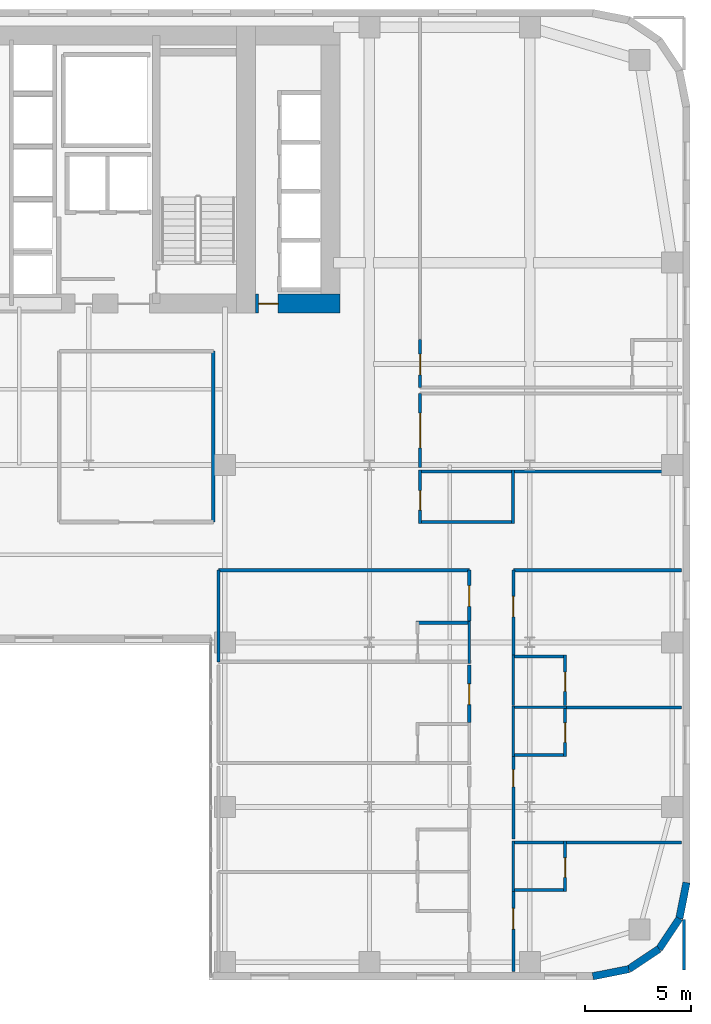
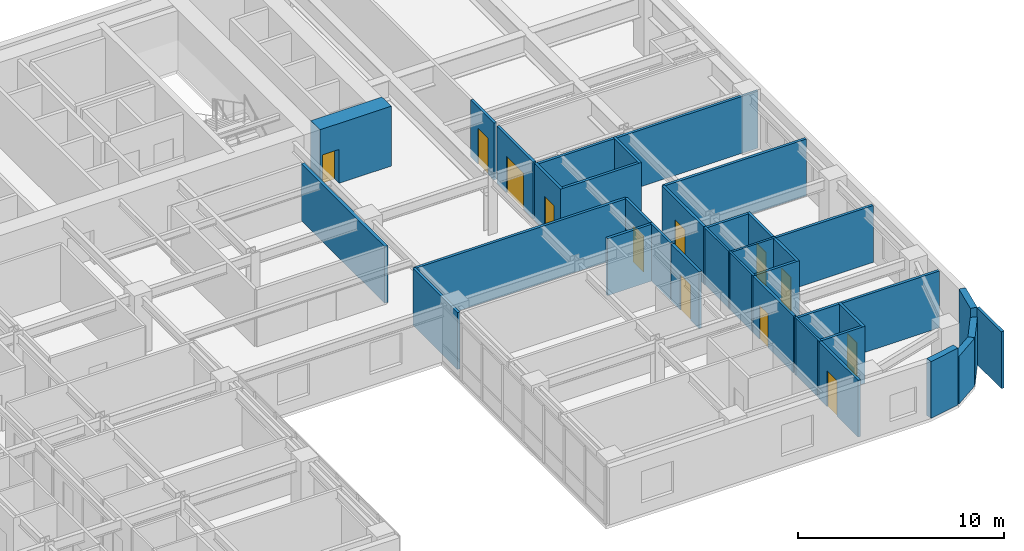
# One storey, part 13 of 17: 36 walls, 12 doors, 12 openings.
"""IFC4 building model written with IfcOpenShell, lengths in metres."""

import ifcopenshell
import ifcopenshell.guid

model = None  # the IFC model being written
_history = None  # IfcOwnerHistory: only IFC2X3 demands one
_inside = {}  # id of a spatial element -> (the spatial element, [elements in it])
_under = {}  # id of a project, library or spatial element -> (it, [spatial elements below it])
_declared = {}  # id of a project -> (the project, [libraries it declares])
_typed = {}  # id of a type object -> (the type object, [elements of that type])
_made_of = {}  # id of a material, layer set ... -> (it, [elements and type objects made of it])


def new_model(schema):
    """Start an empty IFC model of exactly this schema.

    Asked for "IFC4X3", IfcOpenShell would pick the latest addendum, in which some entities
    have other attributes; the version numbers below select the first issue.
    IFC2X3 requires an IfcOwnerHistory on every rooted entity: one is made here for all.
    """
    global model, _history
    if schema == "IFC4X3":
        model = ifcopenshell.file(schema_version=(4, 3, 0, 0))
    else:
        model = ifcopenshell.file(schema=schema)
    _inside.clear()
    _under.clear()
    _declared.clear()
    _typed.clear()
    _made_of.clear()
    _history = None
    if model.schema == "IFC2X3":
        org = make("IfcOrganization", Name="unknown")
        user = make(
            "IfcPersonAndOrganization",
            ThePerson=make("IfcPerson", FamilyName="unknown"),
            TheOrganization=org,
        )
        app = make(
            "IfcApplication",
            ApplicationDeveloper=org,
            Version="unknown",
            ApplicationFullName="unknown",
            ApplicationIdentifier="unknown",
        )
        _history = make(
            "IfcOwnerHistory",
            OwningUser=user,
            OwningApplication=app,
            ChangeAction="ADDED",
            CreationDate=0,
        )
    return model


def make(cls, **values):
    """One entity of the class cls with the attributes given. An attribute that is None is left unset."""
    return model.create_entity(
        cls, **{name: value for name, value in values.items() if value is not None}
    )


def rooted(cls, **values):
    """An entity with a GlobalId (a new one), such as an element, a storey or a relation."""
    return make(cls, GlobalId=ifcopenshell.guid.new(), OwnerHistory=_history, **values)


def si_unit(unit_type, name, prefix=None):
    """IfcSIUnit, for example si_unit("LENGTHUNIT", "METRE", prefix="MILLI")."""
    return make("IfcSIUnit", UnitType=unit_type, Prefix=prefix, Name=name)


def assignment(units):
    """IfcUnitAssignment: the units of a project."""
    return None if units is None else make("IfcUnitAssignment", Units=units)


def point(xyz):
    """IfcCartesianPoint."""
    return None if xyz is None else make("IfcCartesianPoint", Coordinates=xyz)


def direction(xyz):
    """IfcDirection."""
    return None if xyz is None else make("IfcDirection", DirectionRatios=xyz)


def frame(location, z_axis=None, x_axis=None):
    """IfcAxis2Placement3D, a coordinate frame: its origin and axes. An axis left out is left unset."""
    return make(
        "IfcAxis2Placement3D",
        Location=point(location),
        Axis=direction(z_axis),
        RefDirection=direction(x_axis),
    )


def frame_2d(location, x_axis=None):
    """IfcAxis2Placement2D, a coordinate frame in the plane: its origin and x axis."""
    return make(
        "IfcAxis2Placement2D", Location=point(location), RefDirection=direction(x_axis)
    )


def origin():
    """The frame at (0, 0, 0) with its axes left unset."""
    return frame((0.0, 0.0, 0.0))


def place(relative_to, where):
    """IfcLocalPlacement: puts the frame where relative to a parent placement (None: the world)."""
    return make(
        "IfcLocalPlacement", PlacementRelTo=relative_to, RelativePlacement=where
    )


def context(
    kind, dimensions, precision=None, world=None, true_north=None, identifier=None
):
    """IfcGeometricRepresentationContext, for example the 3D "Model" context."""
    return make(
        "IfcGeometricRepresentationContext",
        ContextIdentifier=identifier,
        ContextType=kind,
        CoordinateSpaceDimension=dimensions,
        Precision=precision,
        WorldCoordinateSystem=world,
        TrueNorth=true_north,
    )


def subcontext(parent, identifier, kind, view, scale=None):
    """IfcGeometricRepresentationSubContext, for example "Body" below "Model"."""
    return make(
        "IfcGeometricRepresentationSubContext",
        ContextIdentifier=identifier,
        ContextType=kind,
        ParentContext=parent,
        TargetScale=scale,
        TargetView=view,
    )


def project(units=None, contexts=None):
    """IfcProject with its units and contexts."""
    return rooted(
        "IfcProject",
        Name="project",
        RepresentationContexts=contexts,
        UnitsInContext=assignment(units),
    )


def spatial(cls, under=None, at=None, **own):
    """A site, building, storey or space (cls), placed at a placement, below another one or the project."""
    s = rooted(cls, ObjectPlacement=at, **own)
    if under is not None:
        _under.setdefault(under.id(), (under, []))[1].append(s)
    return s


def profile(cls, at=None, kind="AREA", **sizes):
    """A parametric profile (cls). Its sizes go by their IFC names, for example OverallWidth=200.0."""
    return make(cls, ProfileType=kind, Position=at, **sizes)


def rectangle(**sizes):
    """IfcRectangleProfileDef."""
    return profile("IfcRectangleProfileDef", **sizes)


def extrude(swept, where, along, depth):
    """IfcExtrudedAreaSolid: the profile swept, set in the frame where, extruded along a direction by depth."""
    return make(
        "IfcExtrudedAreaSolid",
        SweptArea=swept,
        Position=where,
        ExtrudedDirection=direction(along),
        Depth=depth,
    )


def shape(context_of_items, identifier, shape_type, items):
    """IfcShapeRepresentation: the items that make up one representation, for example the "Body"."""
    return make(
        "IfcShapeRepresentation",
        ContextOfItems=context_of_items,
        RepresentationIdentifier=identifier,
        RepresentationType=shape_type,
        Items=items,
    )


def source(mapping_origin, context_of_items, identifier, shape_type, items):
    """IfcRepresentationMap: a shape defined once, which mapped items show again and again."""
    return make(
        "IfcRepresentationMap",
        MappingOrigin=mapping_origin,
        MappedRepresentation=shape(context_of_items, identifier, shape_type, items),
    )


def transform(
    local_origin,
    x_axis=None,
    y_axis=None,
    z_axis=None,
    scale=None,
    scale2=None,
    scale3=None,
    uniform=True,
):
    """IfcCartesianTransformationOperator3D, or its non-uniform kind. x_axis, y_axis, z_axis: its Axis1, 2, 3."""
    if uniform:
        return make(
            "IfcCartesianTransformationOperator3D",
            Axis1=direction(x_axis),
            Axis2=direction(y_axis),
            LocalOrigin=point(local_origin),
            Scale=scale,
            Axis3=direction(z_axis),
        )
    return make(
        "IfcCartesianTransformationOperator3DnonUniform",
        Axis1=direction(x_axis),
        Axis2=direction(y_axis),
        LocalOrigin=point(local_origin),
        Scale=scale,
        Axis3=direction(z_axis),
        Scale2=scale2,
        Scale3=scale3,
    )


def mapped(mapping_source, mapping_target):
    """IfcMappedItem: shows the shape of a source again, moved by a transform."""
    return make(
        "IfcMappedItem", MappingSource=mapping_source, MappingTarget=mapping_target
    )


def material(Name=None, Category=None):
    """IfcMaterial."""
    return make("IfcMaterial", Name=Name, Category=Category)


def layer(
    of_material, thickness, ventilated=None, Name=None, Category=None, Priority=None
):
    """IfcMaterialLayer: one layer of a wall or slab, of a material (None: an air gap)."""
    return make(
        "IfcMaterialLayer",
        Material=of_material,
        LayerThickness=thickness,
        IsVentilated=ventilated,
        Name=Name,
        Category=Category,
        Priority=Priority,
    )


def layer_set(layers, Name=None):
    """IfcMaterialLayerSet."""
    return make("IfcMaterialLayerSet", MaterialLayers=layers, LayerSetName=Name)


def made_of(thing, what):
    """Note that an element or type object is made of a material, layer set ...; save() writes the relation."""
    if what is not None:
        _made_of.setdefault(what.id(), (what, []))[1].append(thing)
    return thing


def type_object(cls, material=None, **own):
    """A type object (cls), such as IfcWallType, which elements share."""
    return made_of(rooted(cls, **own), material)


def type_shapes(of_type, sources):
    """Give a type object the sources (RepresentationMaps) that its elements show as mapped items."""
    of_type.RepresentationMaps = sources


def element(
    cls,
    number,
    at=None,
    inside=None,
    cuts=None,
    type_object=None,
    material=None,
    context=None,
    identifier="Body",
    shape_type=None,
    held_by="IfcProductDefinitionShape",
    body=None,
    shapes=None,
    **own,
):
    """One element of the class cls, such as IfcWall. Its Tag is "e" and its number.

    at: its placement. inside: the storey or other place that contains it. cuts: it is an
    opening in that element (IfcRelVoidsElement). A single representation is given by context,
    identifier, shape_type and body (its items); several are given by shapes. held_by: the class
    of the entity that holds the representations. save() writes the other relations.
    """
    e = rooted(cls, Tag="e%d" % number, ObjectPlacement=at, **own)
    if body is not None:
        shapes = [shape(context, identifier, shape_type, body)]
    if shapes is not None:
        e.Representation = make(held_by, Representations=shapes)
    if inside is not None:
        _inside.setdefault(inside.id(), (inside, []))[1].append(e)
    if cuts is not None:
        rooted(
            "IfcRelVoidsElement", RelatingBuildingElement=cuts, RelatedOpeningElement=e
        )
    if type_object is not None:
        _typed.setdefault(type_object.id(), (type_object, []))[1].append(e)
    return made_of(e, material)


def fill(opening, filler):
    """IfcRelFillsElement: the door or window that sits in an opening."""
    return rooted(
        "IfcRelFillsElement",
        RelatingOpeningElement=opening,
        RelatedBuildingElement=filler,
    )


def aggregate(whole, parts):
    """IfcRelAggregates: a whole, such as a stair, and the parts it consists of."""
    return rooted("IfcRelAggregates", RelatingObject=whole, RelatedObjects=parts)


def save(model, path):
    """Write the relations noted so far, then the file.

    IfcRelAggregates (storeys below a building ...), IfcRelContainedInSpatialStructure (elements
    in a storey), IfcRelDefinesByType, IfcRelAssociatesMaterial and IfcRelDeclares: one each for
    every whole, place, type object, material and project.
    """
    for whole, parts in _under.values():
        aggregate(whole, parts)
    for where, things in _inside.values():
        rooted(
            "IfcRelContainedInSpatialStructure",
            RelatedElements=things,
            RelatingStructure=where,
        )
    for kind, things in _typed.values():
        rooted("IfcRelDefinesByType", RelatedObjects=things, RelatingType=kind)
    for what, things in _made_of.values():
        rooted("IfcRelAssociatesMaterial", RelatedObjects=things, RelatingMaterial=what)
    for by, libraries in _declared.values():
        rooted("IfcRelDeclares", RelatingContext=by, RelatedDefinitions=libraries)
    model.write(path)


model = new_model("IFC4")

# Units and contexts
model_context = context("Model", 3, precision=1e-05, world=origin(), true_north=direction((0.0, 1.0)))
body_context = subcontext(model_context, "Body", "Model", "MODEL_VIEW")
ifc_project = project(units=[si_unit("LENGTHUNIT", "METRE"), si_unit("AREAUNIT", "SQUARE_METRE"), si_unit("VOLUMEUNIT", "CUBIC_METRE"), si_unit("PLANEANGLEUNIT", "RADIAN"), si_unit("MASSUNIT", "GRAM", prefix="KILO")], contexts=[model_context])

# Site, building, storey
site_placement = place(None, origin())
site = spatial("IfcSite", under=ifc_project, at=site_placement, CompositionType="ELEMENT")
building_placement = place(site_placement, origin())
building = spatial("IfcBuilding", under=site, at=building_placement, Name="Tolvann Quenvar Hotel", CompositionType="ELEMENT")
storey_placement = place(building_placement, frame((0.0, 0.0, 49.75)))
storey = spatial("IfcBuildingStorey", under=building, at=storey_placement, Name="L11", CompositionType="ELEMENT", Elevation=49.75)

# Wall, opening, door
ifc_material_1 = material(Name="Concrete S80 (80 MPa)", Category="concrete")
ifc_layer_1 = layer(ifc_material_1, 0.89990234375)
ifc_layer_set_1 = layer_set([ifc_layer_1], Name="Concrete S80 (80 MPa)")
wall_type_1 = type_object("IfcWallType", Name="WALL_CORE_900", PredefinedType="SHEAR", material=ifc_layer_set_1)
wall_1_placement = place(storey_placement, frame((36.39990234375, 32.050048828125, 0.0), z_axis=(0.0, 0.0, 1.0), x_axis=(1.0, 0.0, 0.0)))
wall_1 = element("IfcWall", 1, at=wall_1_placement, inside=storey, type_object=wall_type_1, Name="Core East Annex Shear Wall ANN-S (L11)", PredefinedType="SHEAR", context=body_context, shape_type="SweptSolid", body=[
    extrude(rectangle(XDim=4.0, YDim=0.89990234375, at=frame_2d((2.0, 0.0))), origin(), (0.0, 0.0, 1.0), 3.550048828125),
])
opening_1_placement = place(wall_1_placement, frame((1.06982421875, 0.0, 0.0), z_axis=(0.0, 0.0, 1.0), x_axis=(-1.0, 0.0, 0.0)))
opening_1 = element("IfcOpeningElement", 2, at=opening_1_placement, cuts=wall_1, Name="Opening WD-01", PredefinedType="OPENING", context=body_context, shape_type="SweptSolid", body=[
    extrude(rectangle(XDim=0.919921875, YDim=2.010009765625, at=frame_2d((0.4599609375, 1.0048828125))), frame((0.0, 0.4599609375, 0.0), z_axis=(0.0, -1.0, 0.0), x_axis=(1.0, 0.0, 0.0)), (0.0, 0.0, 1.0), 0.919921875),
])
ifc_material_2 = material(Name="Solid-core American oak acoustic fire door leaf in steel frame", Category="steel")
door_type_1 = type_object("IfcDoorType", Name="DOOR_WC_920", OperationType="NOTDEFINED", PredefinedType="DOOR", material=ifc_material_2)
shared_shape_1 = source(origin(), body_context, "Body", "SweptSolid", [
    extrude(rectangle(XDim=0.919921875, YDim=2.010009765625, at=frame_2d((0.4599609375, 1.0048828125))), frame((0.0, 0.02490234375, 0.0), z_axis=(0.0, -1.0, 0.0), x_axis=(1.0, 0.0, 0.0)), (0.0, 0.0, 1.0), 0.050048828125),
])
type_shapes(door_type_1, [shared_shape_1])
door_1_placement = place(opening_1_placement, origin())
door_1 = element("IfcDoor", 3, at=door_1_placement, inside=storey, type_object=door_type_1, Name="Low-Rise Lift Lobby Fire Door (L11)", OperationType="SINGLE_SWING_RIGHT", OverallHeight=2.010009765625, OverallWidth=0.919921875, PredefinedType="DOOR", context=body_context, shape_type="MappedRepresentation", body=[
    mapped(shared_shape_1, transform((0.0, 0.0, 0.0), x_axis=(1.0, 0.0, 0.0), y_axis=(0.0, 1.0, 0.0), z_axis=(0.0, 0.0, 1.0), scale=1.0)),
])
fill(opening_1, door_1)

# Walls
ifc_material_3 = material(Name="Kiln-fired red and buff architectural clay brickwork and terracotta masonry", Category="masonry")
ifc_layer_2 = layer(ifc_material_3, 0.35009765625)
ifc_layer_set_2 = layer_set([ifc_layer_2], Name="Kiln-fired red and buff architectural clay brickwork and terracotta masonry")
wall_type_2 = type_object("IfcWallType", Name="WALL_EXT_BRICK_350", PredefinedType="SOLIDWALL", material=ifc_layer_set_2)
wall_2_placement = place(storey_placement, frame((52.3828125, 0.175048828125, 0.0), z_axis=(0.0, 0.0, 1.0), x_axis=(0.980800971659, 0.195011420161, 0.0)))
element("IfcWall", 4, at=wall_2_placement, inside=storey, type_object=wall_type_2, Name="Exterior Chicago Brick Wall L11-E09", PredefinedType="SOLIDWALL", context=body_context, shape_type="SweptSolid", body=[
    extrude(rectangle(XDim=1.74267578125, YDim=0.35009765625, at=frame_2d((0.871337890625, 0.0))), origin(), (0.0, 0.0, 1.0), 3.3701171875),
])
for number, where, z_axis, x_axis, name in (
    (5, (54.092041015625, 0.514892578125, 0.0), (0.0, 0.0, 1.0), (0.831483840845, 0.55554893791, 0.0), "Exterior Chicago Brick Wall L11-E10"),
    (6, (55.526611328125, 1.473388671875, 0.0), (0.0, 0.0, 1.0), (0.55554893791, 0.831483840845, 0.0), "Exterior Chicago Brick Wall L11-E11"),
):
    element("IfcWall", number, at=place(storey_placement, frame(where, z_axis=z_axis, x_axis=x_axis)), inside=storey, type_object=wall_type_2, Name=name, PredefinedType="SOLIDWALL", context=body_context, shape_type="SweptSolid", body=[
        extrude(rectangle(XDim=1.725341796875, YDim=0.35009765625, at=frame_2d((0.86279296875, 0.0))), origin(), (0.0, 0.0, 1.0), 2.83203125),
    ])
wall_3_placement = place(storey_placement, frame((56.485107421875, 2.907958984375, 0.0), z_axis=(0.0, 0.0, 1.0), x_axis=(0.195011420161, 0.980800971659, 0.0)))
element("IfcWall", 7, at=wall_3_placement, inside=storey, type_object=wall_type_2, Name="Exterior Chicago Brick Wall L11-E12", PredefinedType="SOLIDWALL", context=body_context, shape_type="SweptSolid", body=[
    extrude(rectangle(XDim=1.74267578125, YDim=0.35009765625, at=frame_2d((0.871337890625, 0.0))), origin(), (0.0, 0.0, 1.0), 3.3701171875),
])
ifc_material_4 = material(Name="Acoustic twin-stud fire-rated gypsum plasterboard partition")
ifc_layer_3 = layer(ifc_material_4, 0.179931640625)
ifc_layer_set_3 = layer_set([ifc_layer_3], Name="Acoustic twin-stud fire-rated gypsum plasterboard partition")
wall_type_3 = type_object("IfcWallType", Name="WALL_PART_ACOUSTIC_180", PredefinedType="PARTITIONING", material=ifc_layer_set_3)
wall_4_placement = place(storey_placement, frame((34.39990234375, 21.699951171875, 0.0), z_axis=(0.0, 0.0, 1.0), x_axis=(0.0, 1.0, 0.0)))
element("IfcWall", 8, at=wall_4_placement, inside=storey, type_object=wall_type_3, Name="Interior Partition PT-SPC-L11-MSP-C-E", PredefinedType="PARTITIONING", context=body_context, shape_type="SweptSolid", body=[
    extrude(rectangle(XDim=8.10009765625, YDim=0.179931640625, at=frame_2d((4.050048828125, 0.0))), origin(), (0.0, 0.0, 1.0), 3.3701171875),
])
ifc_material_5 = material(Name="Moisture-resistant acoustic plumbing wall assembly")
ifc_layer_4 = layer(ifc_material_5, 0.1201171875)
ifc_layer_set_4 = layer_set([ifc_layer_4], Name="Moisture-resistant acoustic plumbing wall assembly")
wall_type_4 = type_object("IfcWallType", Name="WALL_PART_BATH_120", PredefinedType="PLUMBINGWALL", material=ifc_layer_set_4)
wall_5_placement = place(storey_placement, frame((46.530029296875, 15.010009765625, 0.0), z_axis=(0.0, 0.0, 1.0), x_axis=(0.0, 1.0, 0.0)))
element("IfcWall", 9, at=wall_5_placement, inside=storey, type_object=wall_type_4, Name="Non-Rated Plumbing Partition PT-SPC-L11-ENS-EI04-E", PredefinedType="PLUMBINGWALL", context=body_context, shape_type="SweptSolid", body=[
    extrude(rectangle(XDim=1.989990234375, YDim=0.1201171875, at=frame_2d((0.9951171875, 0.0))), origin(), (0.0, 0.0, 1.0), 3.3701171875),
])
wall_6_placement = place(storey_placement, frame((48.6201171875, 4.199951171875, 0.0), z_axis=(0.0, 0.0, 1.0), x_axis=(0.0, 1.0, 0.0)))
element("IfcWall", 10, at=wall_6_placement, inside=storey, type_object=wall_type_4, Name="Non-Rated Plumbing Partition PT-SPC-L11-ENS-EO01-W", PredefinedType="PLUMBINGWALL", context=body_context, shape_type="SweptSolid", body=[
    extrude(rectangle(XDim=2.39013671875, YDim=0.1201171875, at=frame_2d((1.195068359375, 0.0))), origin(), (0.0, 0.0, 1.0), 3.3701171875),
])
wall_7_placement = place(storey_placement, frame((48.550048828125, 12.919921875, 0.0), z_axis=(0.0, 0.0, 1.0), x_axis=(1.0, 0.0, 0.0)))
element("IfcWall", 11, at=wall_7_placement, inside=storey, type_object=wall_type_4, Name="Non-Rated Plumbing Partition PT-SPC-L11-ENS-EO02-N", PredefinedType="PLUMBINGWALL", context=body_context, shape_type="SweptSolid", body=[
    extrude(rectangle(XDim=2.58984375, YDim=0.1201171875, at=frame_2d((1.294921875, 0.0))), origin(), (0.0, 0.0, 1.0), 3.3701171875),
])
for number, where, z_axis, x_axis, name in (
    (12, (48.6201171875, 10.60009765625, 0.0), (0.0, 0.0, 1.0), (0.0, 1.0, 0.0), "Non-Rated Plumbing Partition PT-SPC-L11-ENS-EO02-W"),
    (13, (48.6201171875, 13.010009765625, 0.0), (0.0, 0.0, 1.0), (0.0, 1.0, 0.0), "Non-Rated Plumbing Partition PT-SPC-L11-ENS-EO03-W"),
):
    element("IfcWall", number, at=place(storey_placement, frame(where, z_axis=z_axis, x_axis=x_axis)), inside=storey, type_object=wall_type_4, Name=name, PredefinedType="PLUMBINGWALL", context=body_context, shape_type="SweptSolid", body=[
        extrude(rectangle(XDim=2.389892578125, YDim=0.1201171875, at=frame_2d((1.19482421875, 0.0))), origin(), (0.0, 0.0, 1.0), 3.3701171875),
    ])
ifc_layer_5 = layer(ifc_material_4, 0.14990234375)
ifc_layer_set_5 = layer_set([ifc_layer_5], Name="Acoustic twin-stud fire-rated gypsum plasterboard partition")
wall_type_5 = type_object("IfcWallType", Name="WALL_PART_SUITE_150", PredefinedType="PARTITIONING", material=ifc_layer_set_5)
wall_8_placement = place(storey_placement, frame((44.010009765625, 16.929931640625, 0.0), z_axis=(0.0, 0.0, 1.0), x_axis=(1.0, 0.0, 0.0)))
element("IfcWall", 14, at=wall_8_placement, inside=storey, type_object=wall_type_5, Name="Interior Partition PT-SPC-L11-ENS-EI04-N", PredefinedType="PARTITIONING", context=body_context, shape_type="SweptSolid", body=[
    extrude(rectangle(XDim=2.590087890625, YDim=0.14990234375, at=frame_2d((1.294921875, 0.0))), origin(), (0.0, 0.0, 1.0), 3.3701171875),
])

# Wall, opening, door
wall_9_placement = place(storey_placement, frame((51.070068359375, 4.199951171875, 0.0), z_axis=(0.0, 0.0, 1.0), x_axis=(0.0, 1.0, 0.0)))
wall_9 = element("IfcWall", 15, at=wall_9_placement, inside=storey, type_object=wall_type_5, Name="Interior Partition PT-SPC-L11-ENS-EO01-ENT", PredefinedType="PARTITIONING", context=body_context, shape_type="SweptSolid", body=[
    extrude(rectangle(XDim=2.39013671875, YDim=0.14990234375, at=frame_2d((1.195068359375, 0.0))), origin(), (0.0, 0.0, 1.0), 3.3701171875),
])
opening_2_placement = place(wall_9_placement, frame((0.6650390625, 0.0, 0.0)))
opening_2 = element("IfcOpeningElement", 16, at=opening_2_placement, cuts=wall_9, Name="Opening WD-01", PredefinedType="OPENING", context=body_context, shape_type="SweptSolid", body=[
    extrude(rectangle(XDim=0.919921875, YDim=2.010009765625, at=frame_2d((0.4599609375, 1.0048828125))), frame((0.0, 0.0849609375, 0.0), z_axis=(0.0, -1.0, 0.0), x_axis=(1.0, 0.0, 0.0)), (0.0, 0.0, 1.0), 0.169921875),
])
door_2_placement = place(opening_2_placement, origin())
door_2 = element("IfcDoor", 17, at=door_2_placement, inside=storey, type_object=door_type_1, Name="Interior Door DOOR-SPC-L11-ENS-EO01", OperationType="SINGLE_SWING_LEFT", OverallHeight=2.010009765625, OverallWidth=0.919921875, PredefinedType="DOOR", context=body_context, shape_type="MappedRepresentation", body=[
    mapped(shared_shape_1, transform((0.0, 0.0, 0.0), x_axis=(1.0, 0.0, 0.0), y_axis=(0.0, 1.0, 0.0), z_axis=(0.0, 0.0, 1.0), scale=1.0)),
])
fill(opening_2, door_2)

# Walls
for number, where, z_axis, x_axis, name in (
    (18, (48.550048828125, 4.27001953125, 0.0), (0.0, 0.0, 1.0), (1.0, 0.0, 0.0), "Interior Partition PT-SPC-L11-ENS-EO01-S"),
    (19, (48.550048828125, 6.52001953125, 0.0), (0.0, 0.0, 1.0), (1.0, 0.0, 0.0), "Interior Partition PT-SPC-L11-ENS-EO01-N"),
):
    element("IfcWall", number, at=place(storey_placement, frame(where, z_axis=z_axis, x_axis=x_axis)), inside=storey, type_object=wall_type_5, Name=name, PredefinedType="PARTITIONING", context=body_context, shape_type="SweptSolid", body=[
        extrude(rectangle(XDim=2.58984375, YDim=0.14990234375, at=frame_2d((1.294921875, 0.0))), origin(), (0.0, 0.0, 1.0), 3.3701171875),
    ])

# Wall, opening, door
wall_10_placement = place(storey_placement, frame((51.070068359375, 10.60009765625, 0.0), z_axis=(0.0, 0.0, 1.0), x_axis=(0.0, 1.0, 0.0)))
wall_10 = element("IfcWall", 20, at=wall_10_placement, inside=storey, type_object=wall_type_5, Name="Interior Partition PT-SPC-L11-ENS-EO02-ENT", PredefinedType="PARTITIONING", context=body_context, shape_type="SweptSolid", body=[
    extrude(rectangle(XDim=2.389892578125, YDim=0.14990234375, at=frame_2d((1.19482421875, 0.0))), origin(), (0.0, 0.0, 1.0), 3.3701171875),
])
opening_3_placement = place(wall_10_placement, frame((0.6650390625, 0.0, 0.0)))
opening_3 = element("IfcOpeningElement", 21, at=opening_3_placement, cuts=wall_10, Name="Opening WD-01", PredefinedType="OPENING", context=body_context, shape_type="SweptSolid", body=[
    extrude(rectangle(XDim=0.919921875, YDim=2.010009765625, at=frame_2d((0.4599609375, 1.0048828125))), frame((0.0, 0.0849609375, 0.0), z_axis=(0.0, -1.0, 0.0), x_axis=(1.0, 0.0, 0.0)), (0.0, 0.0, 1.0), 0.169921875),
])
door_3_placement = place(opening_3_placement, origin())
door_3 = element("IfcDoor", 22, at=door_3_placement, inside=storey, type_object=door_type_1, Name="Interior Door DOOR-SPC-L11-ENS-EO02", OperationType="SINGLE_SWING_RIGHT", OverallHeight=2.010009765625, OverallWidth=0.919921875, PredefinedType="DOOR", context=body_context, shape_type="MappedRepresentation", body=[
    mapped(shared_shape_1, transform((0.0, 0.0, 0.0), x_axis=(1.0, 0.0, 0.0), y_axis=(0.0, 1.0, 0.0), z_axis=(0.0, 0.0, 1.0), scale=1.0)),
])
fill(opening_3, door_3)

# Wall
wall_11_placement = place(storey_placement, frame((48.550048828125, 10.669921875, 0.0), z_axis=(0.0, 0.0, 1.0), x_axis=(1.0, 0.0, 0.0)))
element("IfcWall", 23, at=wall_11_placement, inside=storey, type_object=wall_type_5, Name="Interior Partition PT-SPC-L11-ENS-EO02-S", PredefinedType="PARTITIONING", context=body_context, shape_type="SweptSolid", body=[
    extrude(rectangle(XDim=2.58984375, YDim=0.14990234375, at=frame_2d((1.294921875, 0.0))), origin(), (0.0, 0.0, 1.0), 3.3701171875),
])

# Wall, opening, door
wall_12_placement = place(storey_placement, frame((51.070068359375, 13.010009765625, 0.0), z_axis=(0.0, 0.0, 1.0), x_axis=(0.0, 1.0, 0.0)))
wall_12 = element("IfcWall", 24, at=wall_12_placement, inside=storey, type_object=wall_type_5, Name="Interior Partition PT-SPC-L11-ENS-EO03-ENT", PredefinedType="PARTITIONING", context=body_context, shape_type="SweptSolid", body=[
    extrude(rectangle(XDim=2.389892578125, YDim=0.14990234375, at=frame_2d((1.19482421875, 0.0))), origin(), (0.0, 0.0, 1.0), 3.3701171875),
])
opening_4_placement = place(wall_12_placement, frame((0.6650390625, 0.0, 0.0)))
opening_4 = element("IfcOpeningElement", 25, at=opening_4_placement, cuts=wall_12, Name="Opening WD-01", PredefinedType="OPENING", context=body_context, shape_type="SweptSolid", body=[
    extrude(rectangle(XDim=0.919921875, YDim=2.010009765625, at=frame_2d((0.4599609375, 1.0048828125))), frame((0.0, 0.0849609375, 0.0), z_axis=(0.0, -1.0, 0.0), x_axis=(1.0, 0.0, 0.0)), (0.0, 0.0, 1.0), 0.169921875),
])
door_4_placement = place(opening_4_placement, origin())
door_4 = element("IfcDoor", 26, at=door_4_placement, inside=storey, type_object=door_type_1, Name="Interior Door DOOR-SPC-L11-ENS-EO03", OperationType="SINGLE_SWING_LEFT", OverallHeight=2.010009765625, OverallWidth=0.919921875, PredefinedType="DOOR", context=body_context, shape_type="MappedRepresentation", body=[
    mapped(shared_shape_1, transform((0.0, 0.0, 0.0), x_axis=(1.0, 0.0, 0.0), y_axis=(0.0, 1.0, 0.0), z_axis=(0.0, 0.0, 1.0), scale=1.0)),
])
fill(opening_4, door_4)

# Wall
wall_13_placement = place(storey_placement, frame((48.550048828125, 15.330078125, 0.0), z_axis=(0.0, 0.0, 1.0), x_axis=(1.0, 0.0, 0.0)))
element("IfcWall", 27, at=wall_13_placement, inside=storey, type_object=wall_type_5, Name="Interior Partition PT-SPC-L11-ENS-EO03-N", PredefinedType="PARTITIONING", context=body_context, shape_type="SweptSolid", body=[
    extrude(rectangle(XDim=2.58984375, YDim=0.14990234375, at=frame_2d((1.294921875, 0.0))), origin(), (0.0, 0.0, 1.0), 3.3701171875),
])

# Wall, opening, door
wall_14_placement = place(storey_placement, frame((46.530029296875, 12.2099609375, 0.0), z_axis=(0.0, 0.0, 1.0), x_axis=(0.0, 1.0, 0.0)))
wall_14 = element("IfcWall", 28, at=wall_14_placement, inside=storey, type_object=wall_type_5, Name="Interior Partition PT-SPC-L11-RM-EI03-ENT", PredefinedType="PARTITIONING", context=body_context, shape_type="SweptSolid", body=[
    extrude(rectangle(XDim=2.7099609375, YDim=0.14990234375, at=frame_2d((1.35498046875, 0.0))), origin(), (0.0, 0.0, 1.0), 3.3701171875),
])
opening_5_placement = place(wall_14_placement, frame((0.844970703125, 0.0, 0.0)))
opening_5 = element("IfcOpeningElement", 29, at=opening_5_placement, cuts=wall_14, Name="Opening SD-01", PredefinedType="OPENING", context=body_context, shape_type="SweptSolid", body=[
    extrude(rectangle(XDim=0.97998046875, YDim=2.1201171875, at=frame_2d((0.489990234375, 1.06005859375))), frame((0.0, 0.0849609375, 0.0), z_axis=(0.0, -1.0, 0.0), x_axis=(1.0, 0.0, 0.0)), (0.0, 0.0, 1.0), 0.169921875),
])
door_type_2 = type_object("IfcDoorType", Name="DOOR_SUITE_980", OperationType="NOTDEFINED", PredefinedType="DOOR", material=ifc_material_2)
shared_shape_2 = source(origin(), body_context, "Body", "SweptSolid", [
    extrude(rectangle(XDim=0.97998046875, YDim=2.1201171875, at=frame_2d((0.489990234375, 1.06005859375))), frame((0.0, 0.02490234375, 0.0), z_axis=(0.0, -1.0, 0.0), x_axis=(1.0, 0.0, 0.0)), (0.0, 0.0, 1.0), 0.050048828125),
])
type_shapes(door_type_2, [shared_shape_2])
door_5_placement = place(opening_5_placement, origin())
door_5 = element("IfcDoor", 30, at=door_5_placement, inside=storey, type_object=door_type_2, Name="Interior Door DOOR-SPC-L11-RM-EI03", OperationType="SINGLE_SWING_RIGHT", OverallHeight=2.1201171875, OverallWidth=0.97998046875, PredefinedType="DOOR", context=body_context, shape_type="MappedRepresentation", body=[
    mapped(shared_shape_2, transform((0.0, 0.0, 0.0), x_axis=(1.0, 0.0, 0.0), y_axis=(0.0, 1.0, 0.0), z_axis=(0.0, 0.0, 1.0), scale=1.0)),
])
fill(opening_5, door_5)

wall_15_placement = place(storey_placement, frame((46.530029296875, 17.010009765625, 0.0), z_axis=(0.0, 0.0, 1.0), x_axis=(0.0, 1.0, 0.0)))
wall_15 = element("IfcWall", 31, at=wall_15_placement, inside=storey, type_object=wall_type_5, Name="Interior Partition PT-SPC-L11-RM-EI04-ENT", PredefinedType="PARTITIONING", context=body_context, shape_type="SweptSolid", body=[
    extrude(rectangle(XDim=2.409912109375, YDim=0.14990234375, at=frame_2d((1.205078125, 0.0))), origin(), (0.0, 0.0, 1.0), 3.3701171875),
])
opening_6_placement = place(wall_15_placement, frame((0.695068359375, 0.0, 0.0)))
opening_6 = element("IfcOpeningElement", 32, at=opening_6_placement, cuts=wall_15, Name="Opening SD-01", PredefinedType="OPENING", context=body_context, shape_type="SweptSolid", body=[
    extrude(rectangle(XDim=0.97998046875, YDim=2.1201171875, at=frame_2d((0.489990234375, 1.06005859375))), frame((0.0, 0.0849609375, 0.0), z_axis=(0.0, -1.0, 0.0), x_axis=(1.0, 0.0, 0.0)), (0.0, 0.0, 1.0), 0.169921875),
])
door_6_placement = place(opening_6_placement, origin())
door_6 = element("IfcDoor", 33, at=door_6_placement, inside=storey, type_object=door_type_2, Name="Interior Door DOOR-SPC-L11-RM-EI04", OperationType="SINGLE_SWING_LEFT", OverallHeight=2.1201171875, OverallWidth=0.97998046875, PredefinedType="DOOR", context=body_context, shape_type="MappedRepresentation", body=[
    mapped(shared_shape_2, transform((0.0, 0.0, 0.0), x_axis=(1.0, 0.0, 0.0), y_axis=(0.0, 1.0, 0.0), z_axis=(0.0, 0.0, 1.0), scale=1.0)),
])
fill(opening_6, door_6)

# Walls
wall_16_placement = place(storey_placement, frame((34.64990234375, 19.419921875, 0.0), z_axis=(0.0, 0.0, 1.0), x_axis=(1.0, 0.0, 0.0)))
element("IfcWall", 34, at=wall_16_placement, inside=storey, type_object=wall_type_5, Name="Interior Partition PT-SPC-L11-RM-EI04-E5", PredefinedType="PARTITIONING", context=body_context, shape_type="SweptSolid", body=[
    extrude(rectangle(XDim=11.880126953125, YDim=0.14990234375, at=frame_2d((5.93994140625, 0.0))), origin(), (0.0, 0.0, 1.0), 3.3701171875),
])
wall_17_placement = place(storey_placement, frame((34.64990234375, 15.080078125, 0.0), z_axis=(0.0, 0.0, 1.0), x_axis=(0.0, 1.0, 0.0)))
element("IfcWall", 35, at=wall_17_placement, inside=storey, type_object=wall_type_5, Name="Interior Partition PT-SPC-L11-RM-EI04-E6", PredefinedType="PARTITIONING", context=body_context, shape_type="SweptSolid", body=[
    extrude(rectangle(XDim=4.33984375, YDim=0.14990234375, at=frame_2d((2.169921875, 0.0))), origin(), (0.0, 0.0, 1.0), 3.3701171875),
])

# Wall, opening, door
wall_18_placement = place(storey_placement, frame((48.6201171875, 0.405029296875, 0.0), z_axis=(0.0, 0.0, 1.0), x_axis=(0.0, 1.0, 0.0)))
wall_18 = element("IfcWall", 36, at=wall_18_placement, inside=storey, type_object=wall_type_5, Name="Interior Partition PT-SPC-L11-RM-EO01-ENT", PredefinedType="PARTITIONING", context=body_context, shape_type="SweptSolid", body=[
    extrude(rectangle(XDim=3.784912109375, YDim=0.14990234375, at=frame_2d((1.892578125, 0.0))), origin(), (0.0, 0.0, 1.0), 3.3701171875),
])
opening_7_placement = place(wall_18_placement, frame((2.010009765625, 0.0, 0.0)))
opening_7 = element("IfcOpeningElement", 37, at=opening_7_placement, cuts=wall_18, Name="Opening SD-01", PredefinedType="OPENING", context=body_context, shape_type="SweptSolid", body=[
    extrude(rectangle(XDim=0.97998046875, YDim=2.1201171875, at=frame_2d((0.489990234375, 1.06005859375))), frame((0.0, 0.0849609375, 0.0), z_axis=(0.0, -1.0, 0.0), x_axis=(1.0, 0.0, 0.0)), (0.0, 0.0, 1.0), 0.169921875),
])
door_7_placement = place(opening_7_placement, origin())
door_7 = element("IfcDoor", 38, at=door_7_placement, inside=storey, type_object=door_type_2, Name="Interior Door DOOR-SPC-L11-RM-EO01", OperationType="SINGLE_SWING_RIGHT", OverallHeight=2.1201171875, OverallWidth=0.97998046875, PredefinedType="DOOR", context=body_context, shape_type="MappedRepresentation", body=[
    mapped(shared_shape_2, transform((0.0, 0.0, 0.0), x_axis=(1.0, 0.0, 0.0), y_axis=(0.0, 1.0, 0.0), z_axis=(0.0, 0.0, 1.0), scale=1.0)),
])
fill(opening_7, door_7)

# Walls
wall_19_placement = place(storey_placement, frame((56.699951171875, 0.47998046875, 0.0), z_axis=(0.0, 0.0, 1.0), x_axis=(0.0, 1.0, 0.0)))
element("IfcWall", 39, at=wall_19_placement, inside=storey, type_object=wall_type_5, Name="Interior Partition PT-SPC-L11-RM-EO01-E2", PredefinedType="PARTITIONING", context=body_context, shape_type="SweptSolid", body=[
    extrude(rectangle(XDim=2.385009765625, YDim=0.14990234375, at=frame_2d((1.1923828125, 0.0))), origin(), (0.0, 0.0, 1.0), 3.3701171875),
])
wall_20_placement = place(storey_placement, frame((51.090087890625, 6.52001953125, 0.0), z_axis=(0.0, 0.0, 1.0), x_axis=(1.0, 0.0, 0.0)))
element("IfcWall", 40, at=wall_20_placement, inside=storey, type_object=wall_type_5, Name="Interior Partition PT-SPC-L11-RM-EO01-E3", PredefinedType="PARTITIONING", context=body_context, shape_type="SweptSolid", body=[
    extrude(rectangle(XDim=5.5048828125, YDim=0.14990234375, at=frame_2d((2.75244140625, 0.0))), origin(), (0.0, 0.0, 1.0), 3.3701171875),
])

# Wall, opening, door
wall_21_placement = place(storey_placement, frame((48.6201171875, 6.679931640625, 0.0), z_axis=(0.0, 0.0, 1.0), x_axis=(0.0, 1.0, 0.0)))
wall_21 = element("IfcWall", 41, at=wall_21_placement, inside=storey, type_object=wall_type_5, Name="Interior Partition PT-SPC-L11-RM-EO02-ENT", PredefinedType="PARTITIONING", context=body_context, shape_type="SweptSolid", body=[
    extrude(rectangle(XDim=3.91015625, YDim=0.14990234375, at=frame_2d((1.955078125, 0.0))), origin(), (0.0, 0.0, 1.0), 3.3701171875),
])
opening_8_placement = place(wall_21_placement, frame((2.47509765625, 0.0, 0.0)))
opening_8 = element("IfcOpeningElement", 42, at=opening_8_placement, cuts=wall_21, Name="Opening HD-02", PredefinedType="OPENING", context=body_context, shape_type="SweptSolid", body=[
    extrude(rectangle(XDim=0.820068359375, YDim=2.010009765625, at=frame_2d((0.41015625, 1.0048828125))), frame((0.0, 0.0849609375, 0.0), z_axis=(0.0, -1.0, 0.0), x_axis=(1.0, 0.0, 0.0)), (0.0, 0.0, 1.0), 0.169921875),
])
ifc_material_6 = material(Name="Pressed galvanised steel fire-rated door set", Category="steel")
door_type_3 = type_object("IfcDoorType", Name="DOOR_STORE_820", OperationType="NOTDEFINED", PredefinedType="DOOR", material=ifc_material_6)
shared_shape_3 = source(origin(), body_context, "Body", "SweptSolid", [
    extrude(rectangle(XDim=0.820068359375, YDim=2.010009765625, at=frame_2d((0.41015625, 1.0048828125))), frame((0.0, 0.02490234375, 0.0), z_axis=(0.0, -1.0, 0.0), x_axis=(1.0, 0.0, 0.0)), (0.0, 0.0, 1.0), 0.050048828125),
])
type_shapes(door_type_3, [shared_shape_3])
door_8_placement = place(opening_8_placement, origin())
door_8 = element("IfcDoor", 43, at=door_8_placement, inside=storey, type_object=door_type_3, Name="Interior Door DOOR-SPC-L11-RM-EO02", OperationType="SINGLE_SWING_LEFT", OverallHeight=2.010009765625, OverallWidth=0.820068359375, PredefinedType="DOOR", context=body_context, shape_type="MappedRepresentation", body=[
    mapped(shared_shape_3, transform((0.0, 0.0, 0.0), x_axis=(1.0, 0.0, 0.0), y_axis=(0.0, 1.0, 0.0), z_axis=(0.0, 0.0, 1.0), scale=1.0)),
])
fill(opening_8, door_8)

# Wall
wall_22_placement = place(storey_placement, frame((51.090087890625, 12.919921875, 0.0), z_axis=(0.0, 0.0, 1.0), x_axis=(1.0, 0.0, 0.0)))
element("IfcWall", 44, at=wall_22_placement, inside=storey, type_object=wall_type_5, Name="Interior Partition PT-SPC-L11-RM-EO02-E3", PredefinedType="PARTITIONING", context=body_context, shape_type="SweptSolid", body=[
    extrude(rectangle(XDim=5.5048828125, YDim=0.14990234375, at=frame_2d((2.75244140625, 0.0))), origin(), (0.0, 0.0, 1.0), 3.3701171875),
])

# Wall, opening, door
wall_23_placement = place(storey_placement, frame((48.6201171875, 15.409912109375, 0.0), z_axis=(0.0, 0.0, 1.0), x_axis=(0.0, 1.0, 0.0)))
wall_23 = element("IfcWall", 45, at=wall_23_placement, inside=storey, type_object=wall_type_5, Name="Interior Partition PT-SPC-L11-RM-EO03-ENT", PredefinedType="PARTITIONING", context=body_context, shape_type="SweptSolid", body=[
    extrude(rectangle(XDim=4.010009765625, YDim=0.14990234375, at=frame_2d((2.0048828125, 0.0))), origin(), (0.0, 0.0, 1.0), 3.3701171875),
])
opening_9_placement = place(wall_23_placement, frame((1.794921875, 0.0, 0.0)))
opening_9 = element("IfcOpeningElement", 46, at=opening_9_placement, cuts=wall_23, Name="Opening SD-01", PredefinedType="OPENING", context=body_context, shape_type="SweptSolid", body=[
    extrude(rectangle(XDim=0.97998046875, YDim=2.1201171875, at=frame_2d((0.489990234375, 1.06005859375))), frame((0.0, 0.0849609375, 0.0), z_axis=(0.0, -1.0, 0.0), x_axis=(1.0, 0.0, 0.0)), (0.0, 0.0, 1.0), 0.169921875),
])
door_9_placement = place(opening_9_placement, origin())
door_9 = element("IfcDoor", 47, at=door_9_placement, inside=storey, type_object=door_type_2, Name="Interior Door DOOR-SPC-L11-RM-EO03", OperationType="SINGLE_SWING_RIGHT", OverallHeight=2.1201171875, OverallWidth=0.97998046875, PredefinedType="DOOR", context=body_context, shape_type="MappedRepresentation", body=[
    mapped(shared_shape_2, transform((0.0, 0.0, 0.0), x_axis=(1.0, 0.0, 0.0), y_axis=(0.0, 1.0, 0.0), z_axis=(0.0, 0.0, 1.0), scale=1.0)),
])
fill(opening_9, door_9)

# Wall
wall_24_placement = place(storey_placement, frame((48.6201171875, 19.419921875, 0.0), z_axis=(0.0, 0.0, 1.0), x_axis=(1.0, 0.0, 0.0)))
element("IfcWall", 48, at=wall_24_placement, inside=storey, type_object=wall_type_5, Name="Interior Partition PT-SPC-L11-RM-EO03-E5", PredefinedType="PARTITIONING", context=body_context, shape_type="SweptSolid", body=[
    extrude(rectangle(XDim=7.974853515625, YDim=0.14990234375, at=frame_2d((3.9873046875, 0.0))), origin(), (0.0, 0.0, 1.0), 3.3701171875),
])

# Wall, opening, door
wall_25_placement = place(storey_placement, frame((44.199951171875, 21.6298828125, 0.0), z_axis=(0.0, 0.0, 1.0), x_axis=(0.0, 1.0, 0.0)))
wall_25 = element("IfcWall", 49, at=wall_25_placement, inside=storey, type_object=wall_type_5, Name="Interior Partition PT-SPC-L11-WCA-ENT", PredefinedType="PARTITIONING", context=body_context, shape_type="SweptSolid", body=[
    extrude(rectangle(XDim=2.5400390625, YDim=0.14990234375, at=frame_2d((1.27001953125, 0.0))), origin(), (0.0, 0.0, 1.0), 3.3701171875),
])
opening_10_placement = place(wall_25_placement, frame((0.639892578125, 0.0, 0.0)))
opening_10 = element("IfcOpeningElement", 50, at=opening_10_placement, cuts=wall_25, Name="Opening WD-01", PredefinedType="OPENING", context=body_context, shape_type="SweptSolid", body=[
    extrude(rectangle(XDim=0.919921875, YDim=2.010009765625, at=frame_2d((0.4599609375, 1.0048828125))), frame((0.0, 0.0849609375, 0.0), z_axis=(0.0, -1.0, 0.0), x_axis=(1.0, 0.0, 0.0)), (0.0, 0.0, 1.0), 0.169921875),
])
door_10_placement = place(opening_10_placement, origin())
door_10 = element("IfcDoor", 51, at=door_10_placement, inside=storey, type_object=door_type_1, Name="Interior Door DOOR-SPC-L11-WCA", OperationType="SINGLE_SWING_LEFT", OverallHeight=2.010009765625, OverallWidth=0.919921875, PredefinedType="DOOR", context=body_context, shape_type="MappedRepresentation", body=[
    mapped(shared_shape_1, transform((0.0, 0.0, 0.0), x_axis=(1.0, 0.0, 0.0), y_axis=(0.0, 1.0, 0.0), z_axis=(0.0, 0.0, 1.0), scale=1.0)),
])
fill(opening_10, door_10)

# Walls
wall_26_placement = place(storey_placement, frame((44.1298828125, 21.699951171875, 0.0), z_axis=(0.0, 0.0, 1.0), x_axis=(1.0, 0.0, 0.0)))
element("IfcWall", 52, at=wall_26_placement, inside=storey, type_object=wall_type_5, Name="Interior Partition PT-SPC-L11-WCA-S", PredefinedType="PARTITIONING", context=body_context, shape_type="SweptSolid", body=[
    extrude(rectangle(XDim=4.5400390625, YDim=0.14990234375, at=frame_2d((2.27001953125, 0.0))), origin(), (0.0, 0.0, 1.0), 3.3701171875),
])
wall_27_placement = place(storey_placement, frame((44.1298828125, 24.10009765625, 0.0), z_axis=(0.0, 0.0, 1.0), x_axis=(1.0, 0.0, 0.0)))
element("IfcWall", 53, at=wall_27_placement, inside=storey, type_object=wall_type_5, Name="Interior Partition PT-SPC-L11-WCA-N", PredefinedType="PARTITIONING", context=body_context, shape_type="SweptSolid", body=[
    extrude(rectangle(XDim=12.465087890625, YDim=0.14990234375, at=frame_2d((6.232421875, 0.0))), origin(), (0.0, 0.0, 1.0), 3.3701171875),
])
wall_28_placement = place(storey_placement, frame((48.60009765625, 21.6298828125, 0.0), z_axis=(0.0, 0.0, 1.0), x_axis=(0.0, 1.0, 0.0)))
element("IfcWall", 54, at=wall_28_placement, inside=storey, type_object=wall_type_5, Name="Interior Partition PT-SPC-L11-WCA-E", PredefinedType="PARTITIONING", context=body_context, shape_type="SweptSolid", body=[
    extrude(rectangle(XDim=2.5400390625, YDim=0.14990234375, at=frame_2d((1.27001953125, 0.0))), origin(), (0.0, 0.0, 1.0), 3.3701171875),
])

# Wall, opening, door
wall_29_placement = place(storey_placement, frame((44.199951171875, 24.280029296875, 0.0), z_axis=(0.0, 0.0, 1.0), x_axis=(0.0, 1.0, 0.0)))
wall_29 = element("IfcWall", 55, at=wall_29_placement, inside=storey, type_object=wall_type_5, Name="Interior Partition PT-SPC-L11-SPA-W", PredefinedType="PARTITIONING", context=body_context, shape_type="SweptSolid", body=[
    extrude(rectangle(XDim=3.52001953125, YDim=0.14990234375, at=frame_2d((1.760009765625, 0.0))), origin(), (0.0, 0.0, 1.0), 3.3701171875),
])
opening_11_placement = place(wall_29_placement, frame((0.93505859375, 0.0, 0.0)))
opening_11 = element("IfcOpeningElement", 56, at=opening_11_placement, cuts=wall_29, Name="Opening AD-01", PredefinedType="OPENING", context=body_context, shape_type="SweptSolid", body=[
    extrude(rectangle(XDim=1.64990234375, YDim=2.14990234375, at=frame_2d((0.824951171875, 1.074951171875))), frame((0.0, 0.0849609375, 0.0), z_axis=(0.0, -1.0, 0.0), x_axis=(1.0, 0.0, 0.0)), (0.0, 0.0, 1.0), 0.169921875),
])
door_type_4 = type_object("IfcDoorType", Name="DOOR_SALON_1650", OperationType="NOTDEFINED", PredefinedType="DOOR", material=ifc_material_2)
shared_shape_4 = source(origin(), body_context, "Body", "SweptSolid", [
    extrude(rectangle(XDim=1.64990234375, YDim=2.14990234375, at=frame_2d((0.824951171875, 1.074951171875))), frame((0.0, 0.02490234375, 0.0), z_axis=(0.0, -1.0, 0.0), x_axis=(1.0, 0.0, 0.0)), (0.0, 0.0, 1.0), 0.050048828125),
])
type_shapes(door_type_4, [shared_shape_4])
door_11_placement = place(opening_11_placement, origin())
door_11 = element("IfcDoor", 57, at=door_11_placement, inside=storey, type_object=door_type_4, Name="Interior Door DOOR-SPC-L11-SPA", OperationType="DOUBLE_DOOR_SINGLE_SWING", OverallHeight=2.14990234375, OverallWidth=1.64990234375, PredefinedType="DOOR", context=body_context, shape_type="MappedRepresentation", body=[
    mapped(shared_shape_4, transform((0.0, 0.0, 0.0), x_axis=(1.0, 0.0, 0.0), y_axis=(0.0, 1.0, 0.0), z_axis=(0.0, 0.0, 1.0), scale=1.0)),
])
fill(opening_11, door_11)

wall_30_placement = place(storey_placement, frame((44.199951171875, 28.080078125, 0.0), z_axis=(0.0, 0.0, 1.0), x_axis=(0.0, 1.0, 0.0)))
wall_30 = element("IfcWall", 58, at=wall_30_placement, inside=storey, type_object=wall_type_5, Name="Interior Partition PT-SPC-L11-RM-NE01-ENT", PredefinedType="PARTITIONING", context=body_context, shape_type="SweptSolid", body=[
    extrude(rectangle(XDim=2.280029296875, YDim=0.14990234375, at=frame_2d((1.14013671875, 0.0))), origin(), (0.0, 0.0, 1.0), 3.3701171875),
])
opening_12_placement = place(wall_30_placement, frame((0.594970703125, 0.0, 0.0)))
opening_12 = element("IfcOpeningElement", 59, at=opening_12_placement, cuts=wall_30, Name="Opening SD-01", PredefinedType="OPENING", context=body_context, shape_type="SweptSolid", body=[
    extrude(rectangle(XDim=0.97998046875, YDim=2.1201171875, at=frame_2d((0.489990234375, 1.06005859375))), frame((0.0, 0.0849609375, 0.0), z_axis=(0.0, -1.0, 0.0), x_axis=(1.0, 0.0, 0.0)), (0.0, 0.0, 1.0), 0.169921875),
])
door_12_placement = place(opening_12_placement, origin())
door_12 = element("IfcDoor", 60, at=door_12_placement, inside=storey, type_object=door_type_2, Name="Interior Door DOOR-SPC-L11-RM-NE01", OperationType="SINGLE_SWING_RIGHT", OverallHeight=2.1201171875, OverallWidth=0.97998046875, PredefinedType="DOOR", context=body_context, shape_type="MappedRepresentation", body=[
    mapped(shared_shape_2, transform((0.0, 0.0, 0.0), x_axis=(1.0, 0.0, 0.0), y_axis=(0.0, 1.0, 0.0), z_axis=(0.0, 0.0, 1.0), scale=1.0)),
])
fill(opening_12, door_12)

save(model, "model.ifc")
